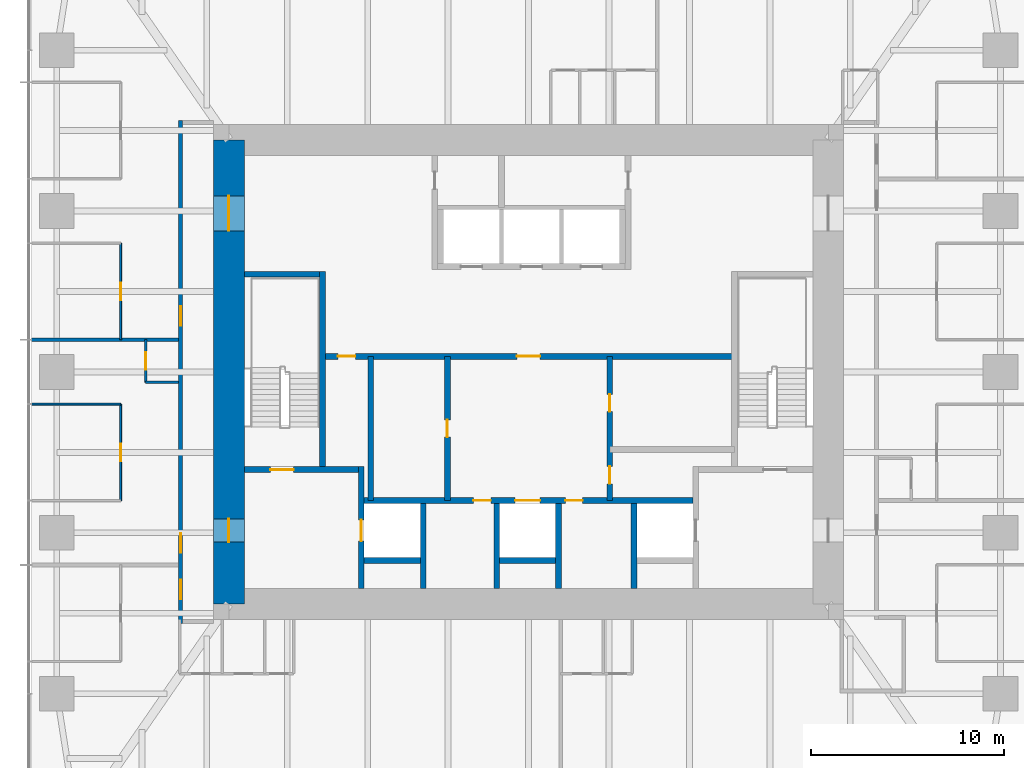
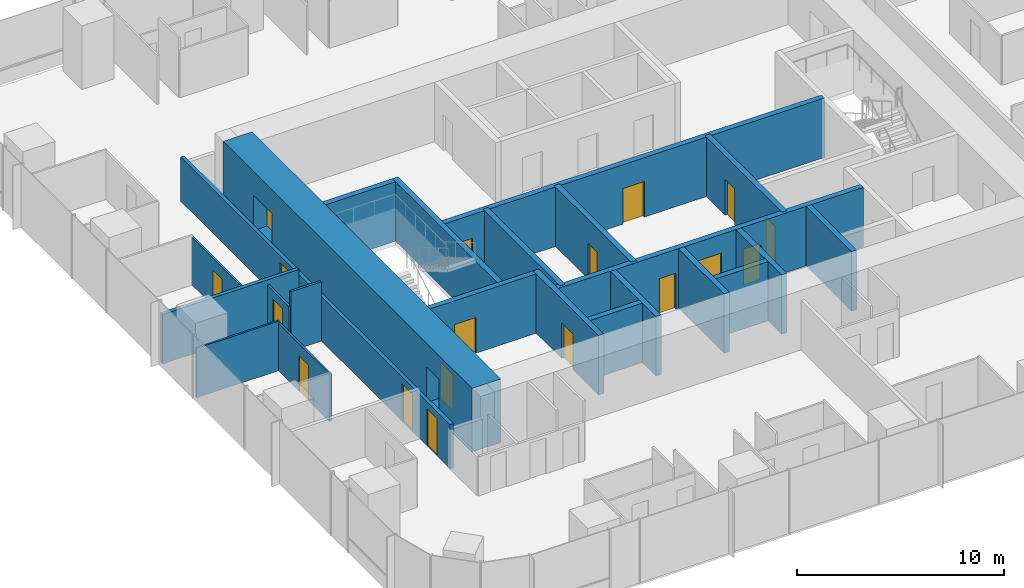
# One storey, part 9 of 13: 23 walls, 18 doors, 18 openings.
"""IFC4 building model written with IfcOpenShell, lengths in metres."""

from ifc_helpers import new_model, si_unit, direction, frame, frame_2d, origin, place, context, subcontext, project, spatial, rectangle, extrude, material, layer, layer_set, type_object, element, fill, save


model = new_model("IFC4")

# Units and contexts
model_context = context("Model", 3, precision=1e-05, world=origin(), true_north=direction((0.0, 1.0)))
body_context = subcontext(model_context, "Body", "Model", "MODEL_VIEW")
ifc_project = project(units=[si_unit("LENGTHUNIT", "METRE"), si_unit("AREAUNIT", "SQUARE_METRE"), si_unit("VOLUMEUNIT", "CUBIC_METRE"), si_unit("PLANEANGLEUNIT", "RADIAN"), si_unit("MASSUNIT", "GRAM", prefix="KILO")], contexts=[model_context])

# Site, building, storey
site_placement = place(None, origin())
site = spatial("IfcSite", under=ifc_project, at=site_placement, CompositionType="ELEMENT")
building_placement = place(site_placement, origin())
building = spatial("IfcBuilding", under=site, at=building_placement, Name="Khuree Lantern Residences", CompositionType="ELEMENT")
storey_placement = place(building_placement, frame((0.0, 0.0, 252.0)))
storey = spatial("IfcBuildingStorey", under=building, at=storey_placement, Name="L63", CompositionType="ELEMENT", Elevation=252.0)

# Wall, opening, door
ifc_material_1 = material(Name="Moisture-resistant gypsum board on steel studs", Category="steel")
ifc_layer_1 = layer(ifc_material_1, 0.125)
ifc_layer_set_1 = layer_set([ifc_layer_1], Name="BATHROOM WALL BTW125")
wall_type_1 = type_object("IfcWallType", Name="BATHROOM WALL BTW125", PredefinedType="PARTITIONING", material=ifc_layer_set_1)
wall_1_placement = place(storey_placement, frame((-19.800048828125, 1.6640625, 0.0), z_axis=(0.0, 0.0, 1.0), x_axis=(0.0, -1.0, 0.0)))
wall_1 = element("IfcWall", 1, at=wall_1_placement, inside=storey, type_object=wall_type_1, Name="L63 BATHROOM WALL 04", PredefinedType="PARTITIONING", context=body_context, shape_type="SweptSolid", body=[
    extrude(rectangle(XDim=2.199951171875, YDim=0.125, at=frame_2d((1.10009765625, 0.0))), origin(), (0.0, 0.0, 1.0), 2.60009765625),
])
opening_1_placement = place(wall_1_placement, frame((0.64990234375, 0.0, 0.0)))
opening_1 = element("IfcOpeningElement", 2, at=opening_1_placement, cuts=wall_1, Name="Opening 63-043", PredefinedType="OPENING", context=body_context, shape_type="SweptSolid", body=[
    extrude(rectangle(XDim=0.89990234375, YDim=2.10009765625, at=frame_2d((0.449951171875, 1.050048828125))), frame((0.0, 0.072509765625, 0.0), z_axis=(0.0, -1.0, 0.0), x_axis=(1.0, 0.0, 0.0)), (0.0, 0.0, 1.0), 0.14501953125),
])
ifc_material_2 = material(Name="Timber door leaf in hardwood frame", Category="wood")
door_type_1 = type_object("IfcDoorType", Name="BATHROOM DOOR 900X2100", OperationType="SINGLE_SWING_LEFT", PredefinedType="DOOR", material=ifc_material_2)
door_1_placement = place(opening_1_placement, origin())
door_1 = element("IfcDoor", 3, at=door_1_placement, inside=storey, type_object=door_type_1, Name="Bathroom door 63-043", OperationType="SINGLE_SWING_LEFT", OverallHeight=2.10009765625, OverallWidth=0.89990234375, PredefinedType="DOOR", context=body_context, shape_type="SweptSolid", body=[
    extrude(rectangle(XDim=0.89990234375, YDim=2.10009765625, at=frame_2d((0.449951171875, 1.050048828125))), frame((0.0, 0.02490234375, 0.0), z_axis=(0.0, -1.0, 0.0), x_axis=(1.0, 0.0, 0.0)), (0.0, 0.0, 1.0), 0.050048828125),
])
fill(opening_1, door_1)

# Wall
wall_2_placement = place(storey_placement, frame((-18.10009765625, -0.535888671875, 0.0), z_axis=(0.0, 0.0, 1.0), x_axis=(-1.0, 0.0, 0.0)))
element("IfcWall", 4, at=wall_2_placement, inside=storey, type_object=wall_type_1, Name="L63 BATHROOM WALL 04", PredefinedType="PARTITIONING", context=body_context, shape_type="SweptSolid", body=[
    extrude(rectangle(XDim=1.699951171875, YDim=0.125, at=frame_2d((0.85009765625, 0.0))), origin(), (0.0, 0.0, 1.0), 3.5),
])

# Wall, opening, door
ifc_material_3 = material(Name="Dense concrete blockwork", Category="masonry")
ifc_layer_2 = layer(ifc_material_3, 0.300048828125)
ifc_layer_set_2 = layer_set([ifc_layer_2], Name="CORE PARTITION WALL CPW300 EI 120")
wall_type_2 = type_object("IfcWallType", Name="CORE PARTITION WALL CPW300 EI 120", PredefinedType="PARTITIONING", material=ifc_layer_set_2)
wall_3_placement = place(storey_placement, frame((-8.64990234375, -11.199951171875, 0.0), z_axis=(0.0, 0.0, 1.0), x_axis=(0.0, 1.0, 0.0)))
wall_3 = element("IfcWall", 5, at=wall_3_placement, inside=storey, type_object=wall_type_2, Name="L63 CORE WALL FL1W", PredefinedType="PARTITIONING", context=body_context, shape_type="SweptSolid", body=[
    extrude(rectangle(XDim=6.300048828125, YDim=0.300048828125, at=frame_2d((3.14990234375, 0.0))), origin(), (0.0, 0.0, 1.0), 3.5),
])
opening_2_placement = place(wall_3_placement, frame((2.449951171875, 0.0, 0.0)))
opening_2 = element("IfcOpeningElement", 6, at=opening_2_placement, cuts=wall_3, Name="Opening 63-007", PredefinedType="OPENING", context=body_context, shape_type="SweptSolid", body=[
    extrude(rectangle(XDim=1.10009765625, YDim=2.10009765625, at=frame_2d((0.550048828125, 1.050048828125))), frame((0.0, 0.16015625, 0.0), z_axis=(0.0, -1.0, 0.0), x_axis=(1.0, 0.0, 0.0)), (0.0, 0.0, 1.0), 0.320068359375),
])
ifc_material_4 = material(Name="Stainless steel lift landing door", Category="steel")
door_type_2 = type_object("IfcDoorType", Name="LIFT LANDING DOOR 1100X2100 E 120", OperationType="DOUBLE_DOOR_SLIDING", PredefinedType="DOOR", material=ifc_material_4)
door_2_placement = place(opening_2_placement, origin())
door_2 = element("IfcDoor", 7, at=door_2_placement, inside=storey, type_object=door_type_2, Name="Landing door FL1 63-007", OperationType="DOUBLE_DOOR_SLIDING", OverallHeight=2.10009765625, OverallWidth=1.10009765625, PredefinedType="DOOR", context=body_context, shape_type="SweptSolid", body=[
    extrude(rectangle(XDim=1.10009765625, YDim=2.10009765625, at=frame_2d((0.550048828125, 1.050048828125))), frame((0.0, 0.02490234375, 0.0), z_axis=(0.0, -1.0, 0.0), x_axis=(1.0, 0.0, 0.0)), (0.0, 0.0, 1.0), 0.050048828125),
])
fill(opening_2, door_2)

# Wall, openings, doors
wall_4_placement = place(storey_placement, frame((-8.5, -6.64990234375, 0.0), z_axis=(0.0, 0.0, 1.0), x_axis=(1.0, 0.0, 0.0)))
wall_4 = element("IfcWall", 8, at=wall_4_placement, inside=storey, type_object=wall_type_2, Name="L63 CORE WALL FLROW", PredefinedType="PARTITIONING", context=body_context, shape_type="SweptSolid", body=[
    extrude(rectangle(XDim=17.0, YDim=0.300048828125, at=frame_2d((8.5, 0.0))), origin(), (0.0, 0.0, 1.0), 3.5),
])
opening_3_placement = place(wall_4_placement, frame((7.800048828125, 0.0, 0.0)))
opening_3 = element("IfcOpeningElement", 9, at=opening_3_placement, cuts=wall_4, Name="Opening 63-012", PredefinedType="OPENING", context=body_context, shape_type="SweptSolid", body=[
    extrude(rectangle(XDim=1.300048828125, YDim=2.39990234375, at=frame_2d((0.64990234375, 1.199951171875))), frame((0.0, 0.16015625, 0.0), z_axis=(0.0, -1.0, 0.0), x_axis=(1.0, 0.0, 0.0)), (0.0, 0.0, 1.0), 0.320068359375),
])
opening_4_placement = place(wall_4_placement, frame((5.64990234375, 0.0, 0.0)))
opening_4 = element("IfcOpeningElement", 10, at=opening_4_placement, cuts=wall_4, Name="Opening 63-014", PredefinedType="OPENING", context=body_context, shape_type="SweptSolid", body=[
    extrude(rectangle(XDim=0.89990234375, YDim=2.10009765625, at=frame_2d((0.449951171875, 1.050048828125))), frame((0.0, 0.16015625, 0.0), z_axis=(0.0, -1.0, 0.0), x_axis=(1.0, 0.0, 0.0)), (0.0, 0.0, 1.0), 0.320068359375),
])
opening_5_placement = place(wall_4_placement, frame((10.39990234375, 0.0, 0.0)))
opening_5 = element("IfcOpeningElement", 11, at=opening_5_placement, cuts=wall_4, Name="Opening 63-015", PredefinedType="OPENING", context=body_context, shape_type="SweptSolid", body=[
    extrude(rectangle(XDim=0.89990234375, YDim=2.10009765625, at=frame_2d((0.449951171875, 1.050048828125))), frame((0.0, 0.16015625, 0.0), z_axis=(0.0, -1.0, 0.0), x_axis=(1.0, 0.0, 0.0)), (0.0, 0.0, 1.0), 0.320068359375),
])
ifc_material_5 = material(Name="Steel door leaf in steel frame", Category="steel")
door_type_3 = type_object("IfcDoorType", Name="DOOR 900X2100 EI 60", OperationType="SINGLE_SWING_LEFT", PredefinedType="DOOR", material=ifc_material_5)
door_3_placement = place(opening_4_placement, origin())
door_3 = element("IfcDoor", 12, at=door_3_placement, inside=storey, type_object=door_type_3, Name="Refuse chute room door 63-014", OperationType="SINGLE_SWING_LEFT", OverallHeight=2.10009765625, OverallWidth=0.89990234375, PredefinedType="DOOR", context=body_context, shape_type="SweptSolid", body=[
    extrude(rectangle(XDim=0.89990234375, YDim=2.10009765625, at=frame_2d((0.449951171875, 1.050048828125))), frame((0.0, 0.02490234375, 0.0), z_axis=(0.0, -1.0, 0.0), x_axis=(1.0, 0.0, 0.0)), (0.0, 0.0, 1.0), 0.050048828125),
])
fill(opening_4, door_3)
door_type_4 = type_object("IfcDoorType", Name="DOOR 900X2100 EI 60 RIGHT HAND", OperationType="SINGLE_SWING_RIGHT", PredefinedType="DOOR", material=ifc_material_5)
door_4_placement = place(opening_5_placement, origin())
door_4 = element("IfcDoor", 13, at=door_4_placement, inside=storey, type_object=door_type_4, Name="Electrical and plumbing riser door 63-015", OperationType="SINGLE_SWING_RIGHT", OverallHeight=2.10009765625, OverallWidth=0.89990234375, PredefinedType="DOOR", context=body_context, shape_type="SweptSolid", body=[
    extrude(rectangle(XDim=0.89990234375, YDim=2.10009765625, at=frame_2d((0.449951171875, 1.050048828125))), frame((0.0, 0.02490234375, 0.0), z_axis=(0.0, -1.0, 0.0), x_axis=(1.0, 0.0, 0.0)), (0.0, 0.0, 1.0), 0.050048828125),
])
fill(opening_5, door_4)
door_type_5 = type_object("IfcDoorType", Name="LIFT LANDING DOOR 1300X2400 E 60", OperationType="DOUBLE_DOOR_SLIDING", PredefinedType="DOOR", material=ifc_material_4)
door_5_placement = place(opening_3_placement, origin())
door_5 = element("IfcDoor", 14, at=door_5_placement, inside=storey, type_object=door_type_5, Name="Landing door SL1 63-012", OperationType="DOUBLE_DOOR_SLIDING", OverallHeight=2.39990234375, OverallWidth=1.300048828125, PredefinedType="DOOR", context=body_context, shape_type="SweptSolid", body=[
    extrude(rectangle(XDim=1.300048828125, YDim=2.39990234375, at=frame_2d((0.64990234375, 1.199951171875))), frame((0.0, 0.02490234375, 0.0), z_axis=(0.0, -1.0, 0.0), x_axis=(1.0, 0.0, 0.0)), (0.0, 0.0, 1.0), 0.050048828125),
])
fill(opening_3, door_5)

# Walls
for number, where, z_axis, x_axis, name in (
    (15, (-5.449951171875, -11.199951171875, 0.0), (0.0, 0.0, 1.0), (0.0, 1.0, 0.0), "L63 CORE WALL FL1E"),
    (16, (-1.64990234375, -11.199951171875, 0.0), (0.0, 0.0, 1.0), (0.0, 1.0, 0.0), "L63 CORE WALL SL1W"),
    (17, (1.550048828125, -11.199951171875, 0.0), (0.0, 0.0, 1.0), (0.0, 1.0, 0.0), "L63 CORE WALL SL1E"),
    (18, (5.449951171875, -11.199951171875, 0.0), (0.0, 0.0, 1.0), (0.0, 1.0, 0.0), "L63 CORE WALL FL2W"),
):
    element("IfcWall", number, at=place(storey_placement, frame(where, z_axis=z_axis, x_axis=x_axis)), inside=storey, type_object=wall_type_2, Name=name, PredefinedType="PARTITIONING", context=body_context, shape_type="SweptSolid", body=[
        extrude(rectangle(XDim=4.39990234375, YDim=0.300048828125, at=frame_2d((2.199951171875, 0.0))), origin(), (0.0, 0.0, 1.0), 3.5),
    ])
for number, where, z_axis, x_axis, name in (
    (19, (-8.5, -9.75, 0.0), (0.0, 0.0, 1.0), (1.0, 0.0, 0.0), "L63 CORE WALL FL1S"),
    (20, (-1.5, -9.75, 0.0), (0.0, 0.0, 1.0), (1.0, 0.0, 0.0), "L63 CORE WALL SL1S"),
):
    element("IfcWall", number, at=place(storey_placement, frame(where, z_axis=z_axis, x_axis=x_axis)), inside=storey, type_object=wall_type_2, Name=name, PredefinedType="PARTITIONING", context=body_context, shape_type="SweptSolid", body=[
        extrude(rectangle(XDim=2.89990234375, YDim=0.300048828125, at=frame_2d((1.449951171875, 0.0))), origin(), (0.0, 0.0, 1.0), 3.5),
    ])

# Wall, openings, doors
wall_5_placement = place(storey_placement, frame((-10.64990234375, 0.800048828125, 0.0), z_axis=(0.0, 0.0, 1.0), x_axis=(1.0, 0.0, 0.0)))
wall_5 = element("IfcWall", 21, at=wall_5_placement, inside=storey, type_object=wall_type_2, Name="L63 CORE WALL LLS", PredefinedType="PARTITIONING", context=body_context, shape_type="SweptSolid", body=[
    extrude(rectangle(XDim=21.2998046875, YDim=0.300048828125, at=frame_2d((10.64990234375, 0.0))), origin(), (0.0, 0.0, 1.0), 3.5),
])
opening_6_placement = place(wall_5_placement, frame((10.050048828125, 0.0, 0.0)))
opening_6 = element("IfcOpeningElement", 22, at=opening_6_placement, cuts=wall_5, Name="Opening 63-013", PredefinedType="OPENING", context=body_context, shape_type="SweptSolid", body=[
    extrude(rectangle(XDim=1.199951171875, YDim=2.10009765625, at=frame_2d((0.60009765625, 1.050048828125))), frame((0.0, 0.16015625, 0.0), z_axis=(0.0, -1.0, 0.0), x_axis=(1.0, 0.0, 0.0)), (0.0, 0.0, 1.0), 0.320068359375),
])
opening_7_placement = place(wall_5_placement, frame((0.79296875, 0.0, 0.0)))
opening_7 = element("IfcOpeningElement", 23, at=opening_7_placement, cuts=wall_5, Name="Opening 63-017", PredefinedType="OPENING", context=body_context, shape_type="SweptSolid", body=[
    extrude(rectangle(XDim=0.89990234375, YDim=2.10009765625, at=frame_2d((0.449951171875, 1.050048828125))), frame((0.0, 0.16015625, 0.0), z_axis=(0.0, -1.0, 0.0), x_axis=(1.0, 0.0, 0.0)), (0.0, 0.0, 1.0), 0.320068359375),
])
door_type_6 = type_object("IfcDoorType", Name="DOOR 1200X2100 EI 60", OperationType="SINGLE_SWING_LEFT", PredefinedType="DOOR", material=ifc_material_5)
door_6_placement = place(opening_6_placement, origin())
door_6 = element("IfcDoor", 24, at=door_6_placement, inside=storey, type_object=door_type_6, Name="Service lift lobby door 63-013", OperationType="SINGLE_SWING_LEFT", OverallHeight=2.10009765625, OverallWidth=1.199951171875, PredefinedType="DOOR", context=body_context, shape_type="SweptSolid", body=[
    extrude(rectangle(XDim=1.199951171875, YDim=2.10009765625, at=frame_2d((0.60009765625, 1.050048828125))), frame((0.0, 0.02490234375, 0.0), z_axis=(0.0, -1.0, 0.0), x_axis=(1.0, 0.0, 0.0)), (0.0, 0.0, 1.0), 0.050048828125),
])
fill(opening_6, door_6)
door_type_7 = type_object("IfcDoorType", Name="DOOR 900X2100", OperationType="SINGLE_SWING_LEFT", PredefinedType="DOOR", material=ifc_material_2)
door_7_placement = place(opening_7_placement, origin())
door_7 = element("IfcDoor", 25, at=door_7_placement, inside=storey, type_object=door_type_7, Name="Building management room door 63-017", OperationType="SINGLE_SWING_LEFT", OverallHeight=2.10009765625, OverallWidth=0.89990234375, PredefinedType="DOOR", context=body_context, shape_type="SweptSolid", body=[
    extrude(rectangle(XDim=0.89990234375, YDim=2.10009765625, at=frame_2d((0.449951171875, 1.050048828125))), frame((0.0, 0.02490234375, 0.0), z_axis=(0.0, -1.0, 0.0), x_axis=(1.0, 0.0, 0.0)), (0.0, 0.0, 1.0), 0.050048828125),
])
fill(opening_7, door_7)

# Wall, opening, door
wall_6_placement = place(storey_placement, frame((-4.199951171875, -6.64990234375, 0.0), z_axis=(0.0, 0.0, 1.0), x_axis=(0.0, 1.0, 0.0)))
wall_6 = element("IfcWall", 26, at=wall_6_placement, inside=storey, type_object=wall_type_2, Name="L63 CORE WALL SVW", PredefinedType="PARTITIONING", context=body_context, shape_type="SweptSolid", body=[
    extrude(rectangle(XDim=7.449951171875, YDim=0.300048828125, at=frame_2d((3.72509765625, 0.0))), origin(), (0.0, 0.0, 1.0), 3.5),
])
opening_8_placement = place(wall_6_placement, frame((3.27490234375, 0.0, 0.0)))
opening_8 = element("IfcOpeningElement", 27, at=opening_8_placement, cuts=wall_6, Name="Opening 63-016", PredefinedType="OPENING", context=body_context, shape_type="SweptSolid", body=[
    extrude(rectangle(XDim=0.89990234375, YDim=2.10009765625, at=frame_2d((0.449951171875, 1.050048828125))), frame((0.0, 0.16015625, 0.0), z_axis=(0.0, -1.0, 0.0), x_axis=(1.0, 0.0, 0.0)), (0.0, 0.0, 1.0), 0.320068359375),
])
door_8_placement = place(opening_8_placement, origin())
door_8 = element("IfcDoor", 28, at=door_8_placement, inside=storey, type_object=door_type_7, Name="Residents' store door 63-016", OperationType="SINGLE_SWING_LEFT", OverallHeight=2.10009765625, OverallWidth=0.89990234375, PredefinedType="DOOR", context=body_context, shape_type="SweptSolid", body=[
    extrude(rectangle(XDim=0.89990234375, YDim=2.10009765625, at=frame_2d((0.449951171875, 1.050048828125))), frame((0.0, 0.02490234375, 0.0), z_axis=(0.0, -1.0, 0.0), x_axis=(1.0, 0.0, 0.0)), (0.0, 0.0, 1.0), 0.050048828125),
])
fill(opening_8, door_8)

# Wall, openings, doors
wall_7_placement = place(storey_placement, frame((4.199951171875, -6.64990234375, 0.0), z_axis=(0.0, 0.0, 1.0), x_axis=(0.0, 1.0, 0.0)))
wall_7 = element("IfcWall", 29, at=wall_7_placement, inside=storey, type_object=wall_type_2, Name="L63 CORE WALL SVE", PredefinedType="PARTITIONING", context=body_context, shape_type="SweptSolid", body=[
    extrude(rectangle(XDim=7.449951171875, YDim=0.300048828125, at=frame_2d((3.72509765625, 0.0))), origin(), (0.0, 0.0, 1.0), 3.5),
])
opening_9_placement = place(wall_7_placement, frame((0.865966796875, 0.0, 0.0)))
opening_9 = element("IfcOpeningElement", 30, at=opening_9_placement, cuts=wall_7, Name="Opening 63-018", PredefinedType="OPENING", context=body_context, shape_type="SweptSolid", body=[
    extrude(rectangle(XDim=0.89990234375, YDim=2.10009765625, at=frame_2d((0.449951171875, 1.050048828125))), frame((0.0, 0.16015625, 0.0), z_axis=(0.0, -1.0, 0.0), x_axis=(1.0, 0.0, 0.0)), (0.0, 0.0, 1.0), 0.320068359375),
])
opening_10_placement = place(wall_7_placement, frame((4.591064453125, 0.0, 0.0)))
opening_10 = element("IfcOpeningElement", 31, at=opening_10_placement, cuts=wall_7, Name="Opening 63-019", PredefinedType="OPENING", context=body_context, shape_type="SweptSolid", body=[
    extrude(rectangle(XDim=0.89990234375, YDim=2.10009765625, at=frame_2d((0.449951171875, 1.050048828125))), frame((0.0, 0.16015625, 0.0), z_axis=(0.0, -1.0, 0.0), x_axis=(1.0, 0.0, 0.0)), (0.0, 0.0, 1.0), 0.320068359375),
])
door_9_placement = place(opening_9_placement, origin())
door_9 = element("IfcDoor", 32, at=door_9_placement, inside=storey, type_object=door_type_7, Name="Building management room door 63-018", OperationType="SINGLE_SWING_LEFT", OverallHeight=2.10009765625, OverallWidth=0.89990234375, PredefinedType="DOOR", context=body_context, shape_type="SweptSolid", body=[
    extrude(rectangle(XDim=0.89990234375, YDim=2.10009765625, at=frame_2d((0.449951171875, 1.050048828125))), frame((0.0, 0.02490234375, 0.0), z_axis=(0.0, -1.0, 0.0), x_axis=(1.0, 0.0, 0.0)), (0.0, 0.0, 1.0), 0.050048828125),
])
fill(opening_9, door_9)
door_type_8 = type_object("IfcDoorType", Name="DOOR 900X2100 RIGHT HAND", OperationType="SINGLE_SWING_RIGHT", PredefinedType="DOOR", material=ifc_material_2)
door_10_placement = place(opening_10_placement, origin())
door_10 = element("IfcDoor", 33, at=door_10_placement, inside=storey, type_object=door_type_8, Name="Residents' store door 63-019", OperationType="SINGLE_SWING_RIGHT", OverallHeight=2.10009765625, OverallWidth=0.89990234375, PredefinedType="DOOR", context=body_context, shape_type="SweptSolid", body=[
    extrude(rectangle(XDim=0.89990234375, YDim=2.10009765625, at=frame_2d((0.449951171875, 1.050048828125))), frame((0.0, 0.02490234375, 0.0), z_axis=(0.0, -1.0, 0.0), x_axis=(1.0, 0.0, 0.0)), (0.0, 0.0, 1.0), 0.050048828125),
])
fill(opening_10, door_10)

# Wall
wall_8_placement = place(storey_placement, frame((-8.1630859375, -6.64990234375, 0.0), z_axis=(0.0, 0.0, 1.0), x_axis=(0.0, 1.0, 0.0)))
element("IfcWall", 34, at=wall_8_placement, inside=storey, type_object=wall_type_2, Name="L63 CORE WALL WV", PredefinedType="PARTITIONING", context=body_context, shape_type="SweptSolid", body=[
    extrude(rectangle(XDim=7.449951171875, YDim=0.300048828125, at=frame_2d((3.72509765625, 0.0))), origin(), (0.0, 0.0, 1.0), 3.5),
])

# Wall, openings, doors
ifc_material_6 = material(Name="Gypsum board on steel studs", Category="steel")
ifc_layer_3 = layer(ifc_material_6, 0.199951171875)
ifc_layer_set_3 = layer_set([ifc_layer_3], Name="CORRIDOR WALL CRW200 EI 60")
wall_type_3 = type_object("IfcWallType", Name="CORRIDOR WALL CRW200 EI 60", PredefinedType="PARTITIONING", material=ifc_layer_set_3)
wall_9_placement = place(storey_placement, frame((-18.0, 13.0, 0.0), z_axis=(0.0, 0.0, 1.0), x_axis=(0.0, -1.0, 0.0)))
wall_9 = element("IfcWall", 35, at=wall_9_placement, inside=storey, type_object=wall_type_3, Name="L63 CORRIDOR WALL WEST 1", PredefinedType="PARTITIONING", context=body_context, shape_type="SweptSolid", body=[
    extrude(rectangle(XDim=26.0, YDim=0.199951171875, at=frame_2d((13.0, 0.0))), origin(), (0.0, 0.0, 1.0), 2.60009765625),
])
opening_11_placement = place(wall_9_placement, frame((9.60009765625, 0.0, 0.0)))
opening_11 = element("IfcOpeningElement", 36, at=opening_11_placement, cuts=wall_9, Name="Opening 63-041", PredefinedType="OPENING", context=body_context, shape_type="SweptSolid", body=[
    extrude(rectangle(XDim=1.0, YDim=2.199951171875, at=frame_2d((0.5, 1.10009765625))), frame((0.0, 0.10986328125, 0.0), z_axis=(0.0, -1.0, 0.0), x_axis=(1.0, 0.0, 0.0)), (0.0, 0.0, 1.0), 0.219970703125),
])
opening_12_placement = place(wall_9_placement, frame((21.35595703125, 0.0, 0.0)))
opening_12 = element("IfcOpeningElement", 37, at=opening_12_placement, cuts=wall_9, Name="Opening 63-044", PredefinedType="OPENING", context=body_context, shape_type="SweptSolid", body=[
    extrude(rectangle(XDim=1.0, YDim=2.199951171875, at=frame_2d((0.5, 1.10009765625))), frame((0.0, 0.10986328125, 0.0), z_axis=(0.0, -1.0, 0.0), x_axis=(1.0, 0.0, 0.0)), (0.0, 0.0, 1.0), 0.219970703125),
])
opening_13_placement = place(wall_9_placement, frame((23.75390625, 0.0, 0.0)))
opening_13 = element("IfcOpeningElement", 38, at=opening_13_placement, cuts=wall_9, Name="Opening 63-053", PredefinedType="OPENING", context=body_context, shape_type="SweptSolid", body=[
    extrude(rectangle(XDim=1.0, YDim=2.199951171875, at=frame_2d((0.5, 1.10009765625))), frame((0.0, 0.10986328125, 0.0), z_axis=(0.0, -1.0, 0.0), x_axis=(1.0, 0.0, 0.0)), (0.0, 0.0, 1.0), 0.219970703125),
])
door_type_9 = type_object("IfcDoorType", Name="APARTMENT ENTRANCE DOOR 1000X2200 EI 30S", OperationType="SINGLE_SWING_LEFT", PredefinedType="DOOR", material=ifc_material_2)
door_11_placement = place(opening_11_placement, origin())
door_11 = element("IfcDoor", 39, at=door_11_placement, inside=storey, type_object=door_type_9, Name="Apartment 03 entrance door 63-041", OperationType="SINGLE_SWING_LEFT", OverallHeight=2.199951171875, OverallWidth=1.0, PredefinedType="DOOR", context=body_context, shape_type="SweptSolid", body=[
    extrude(rectangle(XDim=1.0, YDim=2.199951171875, at=frame_2d((0.5, 1.10009765625))), frame((0.0, 0.02490234375, 0.0), z_axis=(0.0, -1.0, 0.0), x_axis=(1.0, 0.0, 0.0)), (0.0, 0.0, 1.0), 0.050048828125),
])
fill(opening_11, door_11)
door_type_10 = type_object("IfcDoorType", Name="APARTMENT ENTRANCE DOOR 1000X2200 EI 30S RIGHT HAND", OperationType="SINGLE_SWING_RIGHT", PredefinedType="DOOR", material=ifc_material_2)
door_12_placement = place(opening_12_placement, origin())
door_12 = element("IfcDoor", 40, at=door_12_placement, inside=storey, type_object=door_type_10, Name="Apartment 04 entrance door 63-044", OperationType="SINGLE_SWING_RIGHT", OverallHeight=2.199951171875, OverallWidth=1.0, PredefinedType="DOOR", context=body_context, shape_type="SweptSolid", body=[
    extrude(rectangle(XDim=1.0, YDim=2.199951171875, at=frame_2d((0.5, 1.10009765625))), frame((0.0, 0.02490234375, 0.0), z_axis=(0.0, -1.0, 0.0), x_axis=(1.0, 0.0, 0.0)), (0.0, 0.0, 1.0), 0.050048828125),
])
fill(opening_12, door_12)
door_13_placement = place(opening_13_placement, origin())
door_13 = element("IfcDoor", 41, at=door_13_placement, inside=storey, type_object=door_type_10, Name="Apartment 05 entrance door 63-053", OperationType="SINGLE_SWING_RIGHT", OverallHeight=2.199951171875, OverallWidth=1.0, PredefinedType="DOOR", context=body_context, shape_type="SweptSolid", body=[
    extrude(rectangle(XDim=1.0, YDim=2.199951171875, at=frame_2d((0.5, 1.10009765625))), frame((0.0, 0.02490234375, 0.0), z_axis=(0.0, -1.0, 0.0), x_axis=(1.0, 0.0, 0.0)), (0.0, 0.0, 1.0), 0.050048828125),
])
fill(opening_13, door_13)

ifc_material_7 = material(Name="Concrete C50/60", Category="concrete")
ifc_layer_4 = layer(ifc_material_7, 1.60009765625)
ifc_layer_set_4 = layer_set([ifc_layer_4], Name="CW1600-C50 CORE WALL C50 1600")
wall_type_4 = type_object("IfcWallType", Name="CW1600-C50 CORE WALL C50 1600", PredefinedType="SHEAR", material=ifc_layer_set_4)
wall_10_placement = place(storey_placement, frame((-15.5, -12.0, -0.25), z_axis=(0.0, 0.0, 1.0), x_axis=(0.0, 1.0, 0.0)))
wall_10 = element("IfcWall", 42, at=wall_10_placement, inside=storey, type_object=wall_type_4, Name="Core wall W", PredefinedType="SHEAR", context=body_context, shape_type="SweptSolid", body=[
    extrude(rectangle(XDim=24.0, YDim=1.60009765625, at=frame_2d((12.0, 0.0))), origin(), (0.0, 0.0, 1.0), 3.75),
])
opening_14_placement = place(wall_10_placement, frame((3.199951171875, 0.0, 0.25)))
opening_14 = element("IfcOpeningElement", 43, at=opening_14_placement, cuts=wall_10, Name="Opening 63-002", PredefinedType="OPENING", context=body_context, shape_type="SweptSolid", body=[
    extrude(rectangle(XDim=1.199951171875, YDim=2.10009765625, at=frame_2d((0.60009765625, 1.050048828125))), frame((0.0, 0.81005859375, 0.0), z_axis=(0.0, -1.0, 0.0), x_axis=(1.0, 0.0, 0.0)), (0.0, 0.0, 1.0), 1.6201171875),
])
opening_15_placement = place(wall_10_placement, frame((19.300048828125, 0.0, 0.25)))
opening_15 = element("IfcOpeningElement", 44, at=opening_15_placement, cuts=wall_10, Name="Opening 63-003", PredefinedType="OPENING", context=body_context, shape_type="SweptSolid", body=[
    extrude(rectangle(XDim=1.800048828125, YDim=2.10009765625, at=frame_2d((0.89990234375, 1.050048828125))), frame((0.0, 0.81005859375, 0.0), z_axis=(0.0, -1.0, 0.0), x_axis=(1.0, 0.0, 0.0)), (0.0, 0.0, 1.0), 1.6201171875),
])
door_type_11 = type_object("IfcDoorType", Name="LOBBY DOOR 1200X2100 EI 120", OperationType="SINGLE_SWING_LEFT", PredefinedType="DOOR", material=ifc_material_5)
door_14_placement = place(opening_14_placement, origin())
door_14 = element("IfcDoor", 45, at=door_14_placement, inside=storey, type_object=door_type_11, Name="Firefighting lobby door 63-002", OperationType="SINGLE_SWING_LEFT", OverallHeight=2.10009765625, OverallWidth=1.199951171875, PredefinedType="DOOR", context=body_context, shape_type="SweptSolid", body=[
    extrude(rectangle(XDim=1.199951171875, YDim=2.10009765625, at=frame_2d((0.60009765625, 1.050048828125))), frame((0.0, 0.02490234375, 0.0), z_axis=(0.0, -1.0, 0.0), x_axis=(1.0, 0.0, 0.0)), (0.0, 0.0, 1.0), 0.050048828125),
])
fill(opening_14, door_14)
door_type_12 = type_object("IfcDoorType", Name="LOBBY DOUBLE DOOR 1800X2100 EI 60", OperationType="DOUBLE_DOOR_SINGLE_SWING", PredefinedType="DOOR", material=ifc_material_5)
door_15_placement = place(opening_15_placement, origin())
door_15 = element("IfcDoor", 46, at=door_15_placement, inside=storey, type_object=door_type_12, Name="Lift lobby door 63-003", OperationType="DOUBLE_DOOR_SINGLE_SWING", OverallHeight=2.10009765625, OverallWidth=1.800048828125, PredefinedType="DOOR", context=body_context, shape_type="SweptSolid", body=[
    extrude(rectangle(XDim=1.800048828125, YDim=2.10009765625, at=frame_2d((0.89990234375, 1.050048828125))), frame((0.0, 0.02490234375, 0.0), z_axis=(0.0, -1.0, 0.0), x_axis=(1.0, 0.0, 0.0)), (0.0, 0.0, 1.0), 0.050048828125),
])
fill(opening_15, door_15)

# Walls
ifc_layer_5 = layer(ifc_material_6, 0.199951171875)
ifc_layer_set_5 = layer_set([ifc_layer_5], Name="DEMISING WALL DMW200 EI 90")
wall_type_5 = type_object("IfcWallType", Name="DEMISING WALL DMW200 EI 90", PredefinedType="PARTITIONING", material=ifc_layer_set_5)
wall_11_placement = place(storey_placement, frame((-18.10009765625, 1.6640625, 0.0), z_axis=(0.0, 0.0, 1.0), x_axis=(-1.0, 0.0, 0.0)))
element("IfcWall", 47, at=wall_11_placement, inside=storey, type_object=wall_type_5, Name="L63 DEMISING WALL 04", PredefinedType="PARTITIONING", context=body_context, shape_type="SweptSolid", body=[
    extrude(rectangle(XDim=7.599853515625, YDim=0.199951171875, at=frame_2d((3.7998046875, 0.0))), origin(), (0.0, 0.0, 1.0), 2.909912109375),
])
ifc_layer_6 = layer(ifc_material_6, 0.10009765625)
ifc_layer_set_6 = layer_set([ifc_layer_6], Name="PARTITION PT100")
wall_type_6 = type_object("IfcWallType", Name="PARTITION PT100", PredefinedType="PARTITIONING", material=ifc_layer_set_6)
wall_12_placement = place(storey_placement, frame((-21.10009765625, -1.6640625, 0.0), z_axis=(0.0, 0.0, 1.0), x_axis=(-1.0, 0.0, 0.0)))
element("IfcWall", 48, at=wall_12_placement, inside=storey, type_object=wall_type_6, Name="L63 PARTITION 04", PredefinedType="PARTITIONING", context=body_context, shape_type="SweptSolid", body=[
    extrude(rectangle(XDim=4.599853515625, YDim=0.10009765625, at=frame_2d((2.2998046875, 0.0))), origin(), (0.0, 0.0, 1.0), 2.909912109375),
])

# Wall, opening, door
wall_13_placement = place(storey_placement, frame((-21.10009765625, 6.656005859375, 0.0), z_axis=(0.0, 0.0, 1.0), x_axis=(0.0, -1.0, 0.0)))
wall_13 = element("IfcWall", 49, at=wall_13_placement, inside=storey, type_object=wall_type_6, Name="L63 PARTITION 03", PredefinedType="PARTITIONING", context=body_context, shape_type="SweptSolid", body=[
    extrude(rectangle(XDim=4.991943359375, YDim=0.10009765625, at=frame_2d((2.49609375, 0.0))), origin(), (0.0, 0.0, 1.0), 2.81005859375),
])
opening_16_placement = place(wall_13_placement, frame((2.0458984375, 0.0, 0.0)))
opening_16 = element("IfcOpeningElement", 50, at=opening_16_placement, cuts=wall_13, Name="Opening 63-037", PredefinedType="OPENING", context=body_context, shape_type="SweptSolid", body=[
    extrude(rectangle(XDim=0.89990234375, YDim=2.10009765625, at=frame_2d((0.449951171875, 1.050048828125))), frame((0.0, 0.06005859375, 0.0), z_axis=(0.0, -1.0, 0.0), x_axis=(1.0, 0.0, 0.0)), (0.0, 0.0, 1.0), 0.1201171875),
])
door_type_13 = type_object("IfcDoorType", Name="BEDROOM DOOR 900X2100 RIGHT HAND", OperationType="SINGLE_SWING_RIGHT", PredefinedType="DOOR", material=ifc_material_2)
door_16_placement = place(opening_16_placement, origin())
door_16 = element("IfcDoor", 51, at=door_16_placement, inside=storey, type_object=door_type_13, Name="Bedroom door 63-037", OperationType="SINGLE_SWING_RIGHT", OverallHeight=2.10009765625, OverallWidth=0.89990234375, PredefinedType="DOOR", context=body_context, shape_type="SweptSolid", body=[
    extrude(rectangle(XDim=0.89990234375, YDim=2.10009765625, at=frame_2d((0.449951171875, 1.050048828125))), frame((0.0, 0.02490234375, 0.0), z_axis=(0.0, -1.0, 0.0), x_axis=(1.0, 0.0, 0.0)), (0.0, 0.0, 1.0), 0.050048828125),
])
fill(opening_16, door_16)

wall_14_placement = place(storey_placement, frame((-21.10009765625, -1.6640625, 0.0), z_axis=(0.0, 0.0, 1.0), x_axis=(0.0, -1.0, 0.0)))
wall_14 = element("IfcWall", 52, at=wall_14_placement, inside=storey, type_object=wall_type_6, Name="L63 PARTITION 04", PredefinedType="PARTITIONING", context=body_context, shape_type="SweptSolid", body=[
    extrude(rectangle(XDim=4.991943359375, YDim=0.10009765625, at=frame_2d((2.49609375, 0.0))), origin(), (0.0, 0.0, 1.0), 2.81005859375),
])
opening_17_placement = place(wall_14_placement, frame((2.0458984375, 0.0, 0.0)))
opening_17 = element("IfcOpeningElement", 53, at=opening_17_placement, cuts=wall_14, Name="Opening 63-042", PredefinedType="OPENING", context=body_context, shape_type="SweptSolid", body=[
    extrude(rectangle(XDim=0.89990234375, YDim=2.10009765625, at=frame_2d((0.449951171875, 1.050048828125))), frame((0.0, 0.06005859375, 0.0), z_axis=(0.0, -1.0, 0.0), x_axis=(1.0, 0.0, 0.0)), (0.0, 0.0, 1.0), 0.1201171875),
])
door_type_14 = type_object("IfcDoorType", Name="BEDROOM DOOR 900X2100", OperationType="SINGLE_SWING_LEFT", PredefinedType="DOOR", material=ifc_material_2)
door_17_placement = place(opening_17_placement, origin())
door_17 = element("IfcDoor", 54, at=door_17_placement, inside=storey, type_object=door_type_14, Name="Bedroom door 63-042", OperationType="SINGLE_SWING_LEFT", OverallHeight=2.10009765625, OverallWidth=0.89990234375, PredefinedType="DOOR", context=body_context, shape_type="SweptSolid", body=[
    extrude(rectangle(XDim=0.89990234375, YDim=2.10009765625, at=frame_2d((0.449951171875, 1.050048828125))), frame((0.0, 0.02490234375, 0.0), z_axis=(0.0, -1.0, 0.0), x_axis=(1.0, 0.0, 0.0)), (0.0, 0.0, 1.0), 0.050048828125),
])
fill(opening_17, door_17)

# Wall
ifc_layer_7 = layer(ifc_material_7, 0.300048828125)
ifc_layer_set_7 = layer_set([ifc_layer_7], Name="STAIR WALL SRW300 C50/60 REI 240")
wall_type_7 = type_object("IfcWallType", Name="STAIR WALL SRW300 C50/60 REI 240", PredefinedType="SOLIDWALL", material=ifc_layer_set_7)
wall_15_placement = place(storey_placement, frame((-10.64990234375, -4.89990234375, 0.0), z_axis=(0.0, 0.0, 1.0), x_axis=(0.0, 1.0, 0.0)))
element("IfcWall", 55, at=wall_15_placement, inside=storey, type_object=wall_type_7, Name="L63 STAIR WALL ST1E", PredefinedType="SOLIDWALL", context=body_context, shape_type="SweptSolid", body=[
    extrude(rectangle(XDim=10.099853515625, YDim=0.300048828125, at=frame_2d((5.0498046875, 0.0))), origin(), (0.0, 0.0, 1.0), 3.5),
])

# Wall, opening, door
wall_16_placement = place(storey_placement, frame((-14.699951171875, -5.050048828125, 0.0), z_axis=(0.0, 0.0, 1.0), x_axis=(1.0, 0.0, 0.0)))
wall_16 = element("IfcWall", 56, at=wall_16_placement, inside=storey, type_object=wall_type_7, Name="L63 STAIR WALL ST1S", PredefinedType="SOLIDWALL", context=body_context, shape_type="SweptSolid", body=[
    extrude(rectangle(XDim=5.89990234375, YDim=0.300048828125, at=frame_2d((2.949951171875, 0.0))), origin(), (0.0, 0.0, 1.0), 3.5),
])
opening_18_placement = place(wall_16_placement, frame((1.35009765625, 0.0, 0.0)))
opening_18 = element("IfcOpeningElement", 57, at=opening_18_placement, cuts=wall_16, Name="Opening 63-001", PredefinedType="OPENING", context=body_context, shape_type="SweptSolid", body=[
    extrude(rectangle(XDim=1.199951171875, YDim=2.10009765625, at=frame_2d((0.60009765625, 1.050048828125))), frame((0.0, 0.16015625, 0.0), z_axis=(0.0, -1.0, 0.0), x_axis=(1.0, 0.0, 0.0)), (0.0, 0.0, 1.0), 0.320068359375),
])
door_type_15 = type_object("IfcDoorType", Name="STAIR DOOR 1200X2100 EI 120", OperationType="SINGLE_SWING_LEFT", PredefinedType="DOOR", material=ifc_material_5)
door_18_placement = place(opening_18_placement, origin())
door_18 = element("IfcDoor", 58, at=door_18_placement, inside=storey, type_object=door_type_15, Name="Stair ST1 door 63-001", OperationType="SINGLE_SWING_LEFT", OverallHeight=2.10009765625, OverallWidth=1.199951171875, PredefinedType="DOOR", context=body_context, shape_type="SweptSolid", body=[
    extrude(rectangle(XDim=1.199951171875, YDim=2.10009765625, at=frame_2d((0.60009765625, 1.050048828125))), frame((0.0, 0.02490234375, 0.0), z_axis=(0.0, -1.0, 0.0), x_axis=(1.0, 0.0, 0.0)), (0.0, 0.0, 1.0), 0.050048828125),
])
fill(opening_18, door_18)

# Wall
wall_17_placement = place(storey_placement, frame((-14.699951171875, 5.050048828125, 0.0), z_axis=(0.0, 0.0, 1.0), x_axis=(1.0, 0.0, 0.0)))
element("IfcWall", 59, at=wall_17_placement, inside=storey, type_object=wall_type_7, Name="L63 STAIR WALL ST1N", PredefinedType="SOLIDWALL", context=body_context, shape_type="SweptSolid", body=[
    extrude(rectangle(XDim=3.89990234375, YDim=0.300048828125, at=frame_2d((1.949951171875, 0.0))), origin(), (0.0, 0.0, 1.0), 3.5),
])

save(model, "model.ifc")
